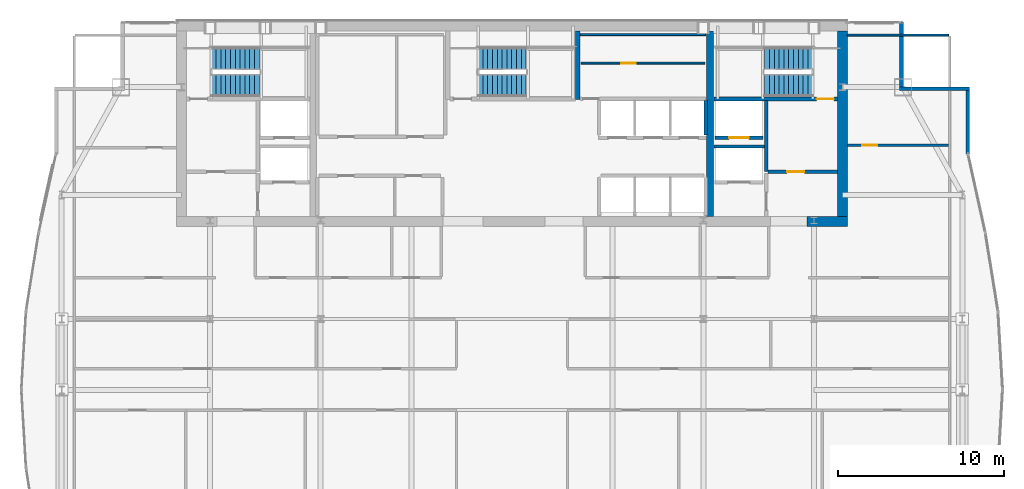
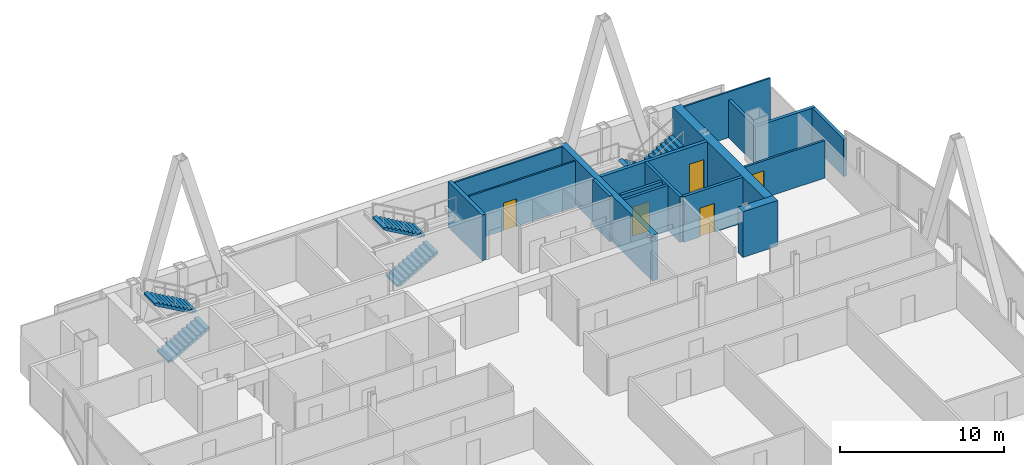
# One storey, part 29 of 31: 17 walls, 6 stair flights, 5 doors, 5 openings, 3 elements without a shape of their own.
"""IFC4 building model written with IfcOpenShell, lengths in metres."""

from ifc_helpers import new_model, si_unit, direction, frame, frame_2d, origin, place, context, subcontext, project, spatial, polyline, rectangle, outline, extrude, material, layer, layer_set, type_object, element, fill, aggregate, save


model = new_model("IFC4")

# Units and contexts
model_context = context("Model", 3, precision=1e-05, world=origin(), true_north=direction((0.0, 1.0)))
body_context = subcontext(model_context, "Body", "Model", "MODEL_VIEW")
ifc_project = project(units=[si_unit("LENGTHUNIT", "METRE"), si_unit("AREAUNIT", "SQUARE_METRE"), si_unit("VOLUMEUNIT", "CUBIC_METRE"), si_unit("PLANEANGLEUNIT", "RADIAN"), si_unit("MASSUNIT", "GRAM", prefix="KILO")], contexts=[model_context])

# Site, building, storey
site_placement = place(None, origin())
site = spatial("IfcSite", under=ifc_project, at=site_placement, CompositionType="ELEMENT")
building_placement = place(site_placement, origin())
building = spatial("IfcBuilding", under=site, at=building_placement, Name="Khoronbel Lancet Exchange", CompositionType="ELEMENT")
storey_placement = place(building_placement, frame((0.0, 0.0, 261.800048828125)))
storey = spatial("IfcBuildingStorey", under=building, at=storey_placement, Name="L67", CompositionType="ELEMENT", Elevation=261.800048828125)

# Walls
ifc_material_1 = material(Name="Concrete C60/75", Category="concrete")
ifc_layer_1 = layer(ifc_material_1, 0.60009765625, Name="Concrete C60/75")
ifc_layer_set_1 = layer_set([ifc_layer_1], Name="Concrete C60/75")
wall_type_1 = type_object("IfcWallType", Name="WL-CW3", PredefinedType="SHEAR", material=ifc_layer_set_1)
wall_1_placement = place(storey_placement, frame((56.39990234375, 53.10009765625, 0.0), z_axis=(0.0, 0.0, 1.0), x_axis=(0.0, -1.0, 0.0)))
element("IfcWall", 1, at=wall_1_placement, inside=storey, type_object=wall_type_1, Name="Level L67 rear core east shear wall", PredefinedType="SHEAR", context=body_context, shape_type="SweptSolid", body=[
    extrude(rectangle(XDim=11.2001953125, YDim=0.60009765625, at=frame_2d((5.60009765625, 0.0))), origin(), (0.0, 0.0, 1.0), 3.39990234375),
])
wall_2_placement = place(storey_placement, frame((56.699951171875, 41.60009765625, 0.0), z_axis=(0.0, 0.0, 1.0), x_axis=(-1.0, 0.0, 0.0)))
element("IfcWall", 2, at=wall_2_placement, inside=storey, type_object=wall_type_1, Name="Level L67 rear core south shear wall pier P5", PredefinedType="SHEAR", context=body_context, shape_type="SweptSolid", body=[
    extrude(rectangle(XDim=2.449951171875, YDim=0.60009765625, at=frame_2d((1.22509765625, 0.0))), origin(), (0.0, 0.0, 1.0), 3.39990234375),
])
ifc_material_2 = material(Name="Precast concrete C40/50", Category="concrete")
ifc_layer_2 = layer(ifc_material_2, 0.25, Name="Precast concrete C40/50")
ifc_layer_set_2 = layer_set([ifc_layer_2], Name="Precast concrete C40/50")
wall_type_2 = type_object("IfcWallType", Name="WL-EXT250", PredefinedType="SOLIDWALL", material=ifc_layer_set_2)
wall_3_placement = place(storey_placement, frame((59.9599609375, 53.6298828125, 0.0), z_axis=(0.0, 0.0, 1.0), x_axis=(0.0, -1.0, 0.0)))
element("IfcWall", 3, at=wall_3_placement, inside=storey, type_object=wall_type_2, Name="Level L67 notched-corner limestone pier 14", PredefinedType="SOLIDWALL", context=body_context, shape_type="SweptSolid", body=[
    extrude(rectangle(XDim=3.909912109375, YDim=0.219970703125, at=frame_2d((1.955078125, 0.0))), origin(), (0.0, 0.0, 1.0), 2.7900390625),
])
wall_4_placement = place(storey_placement, frame((59.85009765625, 49.610107421875, 0.0), z_axis=(0.0, 0.0, 1.0), x_axis=(1.0, 0.0, 0.0)))
element("IfcWall", 4, at=wall_4_placement, inside=storey, type_object=wall_type_2, Name="Level L67 notched-corner limestone pier 15", PredefinedType="SOLIDWALL", context=body_context, shape_type="SweptSolid", body=[
    extrude(rectangle(XDim=4.219970703125, YDim=0.219970703125, at=frame_2d((2.10986328125, 0.0))), origin(), (0.0, 0.0, 1.0), 2.7900390625),
])
wall_5_placement = place(storey_placement, frame((63.9599609375, 49.5, 0.0), z_axis=(0.0, 0.0, 1.0), x_axis=(0.0, -1.0, 0.0)))
element("IfcWall", 5, at=wall_5_placement, inside=storey, type_object=wall_type_2, Name="Level L67 notched-corner limestone pier 16", PredefinedType="SOLIDWALL", context=body_context, shape_type="SweptSolid", body=[
    extrude(rectangle(XDim=3.829833984375, YDim=0.219970703125, at=frame_2d((1.9150390625, 0.0))), origin(), (0.0, 0.0, 1.0), 2.7900390625),
])

# Wall, opening, door
ifc_material_3 = material(Name="Acoustic Metal-Stud & Mineral-Wool Gypsum Partition 120 mm", Category="gypsum")
ifc_layer_3 = layer(ifc_material_3, 0.1201171875, Name="Acoustic Metal-Stud & Mineral-Wool Gypsum Partition 120 mm")
ifc_layer_set_3 = layer_set([ifc_layer_3], Name="Acoustic Metal-Stud & Mineral-Wool Gypsum Partition 120 mm")
wall_type_3 = type_object("IfcWallType", Name="WL-PRT120", PredefinedType="PARTITIONING", material=ifc_layer_set_3)
wall_6_placement = place(storey_placement, frame((56.699951171875, 46.199951171875, 0.0), z_axis=(0.0, 0.0, 1.0), x_axis=(1.0, 0.0, 0.0)))
wall_6 = element("IfcWall", 6, at=wall_6_placement, inside=storey, type_object=wall_type_3, Name="Level L67 interior partition PW-NE-H", PredefinedType="PARTITIONING", context=body_context, shape_type="SweptSolid", body=[
    extrude(rectangle(XDim=6.10498046875, YDim=0.14990234375, at=frame_2d((3.052490234375, 0.0))), origin(), (0.0, 0.0, 1.0), 2.7900390625),
])
opening_1_placement = place(wall_6_placement, frame((0.89990234375, 0.0, 0.0)))
opening_1 = element("IfcOpeningElement", 7, at=opening_1_placement, cuts=wall_6, Name="Opening D5", PredefinedType="OPENING", context=body_context, shape_type="SweptSolid", body=[
    extrude(rectangle(XDim=0.89990234375, YDim=2.050048828125, at=frame_2d((0.449951171875, 1.02490234375))), frame((0.0, 0.0849609375, 0.0), z_axis=(0.0, -1.0, 0.0), x_axis=(1.0, 0.0, 0.0)), (0.0, 0.0, 1.0), 0.169921875),
])
ifc_material_4 = material(Name="Acoustic Timber Pantry & Support Door", Category="wood")
door_type_1 = type_object("IfcDoorType", Name="DR-D5", OperationType="NOTDEFINED", PredefinedType="DOOR", material=ifc_material_4)
door_1_placement = place(opening_1_placement, origin())
door_1 = element("IfcDoor", 8, at=door_1_placement, inside=storey, type_object=door_type_1, Name="NE north room door L67-1", OperationType="SINGLE_SWING_RIGHT", OverallHeight=2.050048828125, OverallWidth=0.89990234375, PredefinedType="DOOR", context=body_context, shape_type="SweptSolid", body=[
    extrude(rectangle(XDim=0.89990234375, YDim=2.050048828125, at=frame_2d((0.449951171875, 1.02490234375))), frame((0.0, 0.02490234375, 0.0), z_axis=(0.0, -1.0, 0.0), x_axis=(1.0, 0.0, 0.0)), (0.0, 0.0, 1.0), 0.050048828125),
])
fill(opening_1, door_1)

# Walls
wall_7_placement = place(storey_placement, frame((56.699951171875, 52.840087890625, 0.0), z_axis=(0.0, 0.0, 1.0), x_axis=(1.0, 0.0, 0.0)))
element("IfcWall", 9, at=wall_7_placement, inside=storey, type_object=wall_type_3, Name="Level L67 interior partition PW-LIN-NE", PredefinedType="PARTITIONING", context=body_context, shape_type="SweptSolid", body=[
    extrude(rectangle(XDim=6.10498046875, YDim=0.1201171875, at=frame_2d((3.052490234375, 0.0))), origin(), (0.0, 0.0, 1.0), 3.39990234375),
])
ifc_material_5 = material(Name="Fire-Rated Metal-Stud & Mineral-Wool Gypsum Partition 120 mm", Category="gypsum")
ifc_layer_4 = layer(ifc_material_5, 0.1201171875, Name="Fire-Rated Metal-Stud & Mineral-Wool Gypsum Partition 120 mm")
ifc_layer_set_4 = layer_set([ifc_layer_4], Name="Fire-Rated Metal-Stud & Mineral-Wool Gypsum Partition 120 mm")
wall_type_4 = type_object("IfcWallType", Name="WL-PRT120F", PredefinedType="PARTITIONING", material=ifc_layer_set_4)
wall_8_placement = place(storey_placement, frame((40.580078125, 52.860107421875, 0.0), z_axis=(0.0, 0.0, 1.0), x_axis=(1.0, 0.0, 0.0)))
element("IfcWall", 10, at=wall_8_placement, inside=storey, type_object=wall_type_4, Name="Level L67 interior partition CW-SUP-NE-N", PredefinedType="PARTITIONING", context=body_context, shape_type="SweptSolid", body=[
    extrude(rectangle(XDim=7.559814453125, YDim=0.1201171875, at=frame_2d((3.77978515625, 0.0))), origin(), (0.0, 0.0, 1.0), 3.39990234375),
])

# Wall, opening, door
wall_9_placement = place(storey_placement, frame((40.6298828125, 51.139892578125, 0.0), z_axis=(0.0, 0.0, 1.0), x_axis=(1.0, 0.0, 0.0)))
wall_9 = element("IfcWall", 11, at=wall_9_placement, inside=storey, type_object=wall_type_4, Name="Level L67 interior partition CW-SUP-NE-H", PredefinedType="PARTITIONING", context=body_context, shape_type="SweptSolid", body=[
    extrude(rectangle(XDim=7.460205078125, YDim=0.1201171875, at=frame_2d((3.72998046875, 0.0))), origin(), (0.0, 0.0, 1.0), 3.39990234375),
])
opening_2_placement = place(wall_9_placement, frame((2.39990234375, 0.0, 0.0)))
opening_2 = element("IfcOpeningElement", 12, at=opening_2_placement, cuts=wall_9, Name="Opening FD4", PredefinedType="OPENING", context=body_context, shape_type="SweptSolid", body=[
    extrude(rectangle(XDim=0.89990234375, YDim=2.050048828125, at=frame_2d((0.449951171875, 1.02490234375))), frame((0.0, 0.070068359375, 0.0), z_axis=(0.0, -1.0, 0.0), x_axis=(1.0, 0.0, 0.0)), (0.0, 0.0, 1.0), 0.14013671875),
])
ifc_material_6 = material(Name="Fire-Rated Steel Core Support Door Assembly", Category="steel")
door_type_2 = type_object("IfcDoorType", Name="DR-FD4", OperationType="NOTDEFINED", PredefinedType="DOOR", material=ifc_material_6)
door_2_placement = place(opening_2_placement, origin())
door_2 = element("IfcDoor", 13, at=door_2_placement, inside=storey, type_object=door_type_2, Name="Core NE north store door L67-1", OperationType="SINGLE_SWING_LEFT", OverallHeight=2.050048828125, OverallWidth=0.89990234375, PredefinedType="DOOR", context=body_context, shape_type="SweptSolid", body=[
    extrude(rectangle(XDim=0.89990234375, YDim=2.050048828125, at=frame_2d((0.449951171875, 1.02490234375))), frame((0.0, 0.02490234375, 0.0), z_axis=(0.0, -1.0, 0.0), x_axis=(1.0, 0.0, 0.0)), (0.0, 0.0, 1.0), 0.050048828125),
])
fill(opening_2, door_2)

ifc_material_7 = material(Name="Autoclaved Aerated Concrete Blockwork 200 mm", Category="masonry")
ifc_layer_5 = layer(ifc_material_7, 0.199951171875, Name="Autoclaved Aerated Concrete Blockwork 200 mm")
ifc_layer_set_5 = layer_set([ifc_layer_5], Name="Autoclaved Aerated Concrete Blockwork 200 mm")
wall_type_5 = type_object("IfcWallType", Name="WL-PRT200", PredefinedType="PARTITIONING", material=ifc_layer_set_5)
wall_10_placement = place(storey_placement, frame((51.610107421875, 46.64990234375, 0.0), z_axis=(0.0, 0.0, 1.0), x_axis=(-1.0, 0.0, 0.0)))
wall_10 = element("IfcWall", 14, at=wall_10_placement, inside=storey, type_object=wall_type_5, Name="Level L67 elevator hoistway landing front wall FFLE", PredefinedType="PARTITIONING", context=body_context, shape_type="SweptSolid", body=[
    extrude(rectangle(XDim=2.920166015625, YDim=0.199951171875, at=frame_2d((1.4599609375, 0.0))), origin(), (0.0, 0.0, 1.0), 3.39990234375),
])
opening_3_placement = place(wall_10_placement, frame((0.860107421875, 0.0, 0.0)))
opening_3 = element("IfcOpeningElement", 15, at=opening_3_placement, cuts=wall_10, Name="Opening LD-FFL2", PredefinedType="OPENING", context=body_context, shape_type="SweptSolid", body=[
    extrude(rectangle(XDim=1.199951171875, YDim=2.179931640625, at=frame_2d((0.60009765625, 1.08984375))), frame((0.0, 0.10986328125, 0.0), z_axis=(0.0, -1.0, 0.0), x_axis=(1.0, 0.0, 0.0)), (0.0, 0.0, 1.0), 0.219970703125),
])
ifc_material_8 = material(Name="Fire-Rated Stainless Bi-Parting Firefighting Lift Door", Category="steel")
door_type_3 = type_object("IfcDoorType", Name="DR-LD-FFL", OperationType="NOTDEFINED", PredefinedType="DOOR", material=ifc_material_8)
door_3_placement = place(opening_3_placement, origin())
door_3 = element("IfcDoor", 16, at=door_3_placement, inside=storey, type_object=door_type_3, Name="Elevator landing sliding door LD-FFL2 L67", OperationType="SLIDING_TO_LEFT", OverallHeight=2.179931640625, OverallWidth=1.199951171875, PredefinedType="DOOR", context=body_context, shape_type="SweptSolid", body=[
    extrude(rectangle(XDim=1.199951171875, YDim=2.179931640625, at=frame_2d((0.60009765625, 1.08984375))), frame((0.0, 0.02490234375, 0.0), z_axis=(0.0, -1.0, 0.0), x_axis=(1.0, 0.0, 0.0)), (0.0, 0.0, 1.0), 0.050048828125),
])
fill(opening_3, door_3)

# Wall
wall_11_placement = place(storey_placement, frame((51.800048828125, 44.60009765625, 0.0), z_axis=(0.0, 0.0, 1.0), x_axis=(0.0, 1.0, 0.0)))
element("IfcWall", 17, at=wall_11_placement, inside=storey, type_object=wall_type_5, Name="Level L67 interior partition CW-FFLE-W", PredefinedType="PARTITIONING", context=body_context, shape_type="SweptSolid", body=[
    extrude(rectangle(XDim=4.2998046875, YDim=0.199951171875, at=frame_2d((2.14990234375, 0.0))), origin(), (0.0, 0.0, 1.0), 3.39990234375),
])

# Wall, opening, door
wall_12_placement = place(storey_placement, frame((51.89990234375, 44.60009765625, 0.0), z_axis=(0.0, 0.0, 1.0), x_axis=(1.0, 0.0, 0.0)))
wall_12 = element("IfcWall", 18, at=wall_12_placement, inside=storey, type_object=wall_type_5, Name="Level L67 interior partition CW-FFLE-S", PredefinedType="PARTITIONING", context=body_context, shape_type="SweptSolid", body=[
    extrude(rectangle(XDim=4.2001953125, YDim=0.199951171875, at=frame_2d((2.10009765625, 0.0))), origin(), (0.0, 0.0, 1.0), 3.39990234375),
])
opening_4_placement = place(wall_12_placement, frame((1.14990234375, 0.0, 0.0)))
opening_4 = element("IfcOpeningElement", 19, at=opening_4_placement, cuts=wall_12, Name="Opening FD1", PredefinedType="OPENING", context=body_context, shape_type="SweptSolid", body=[
    extrude(rectangle(XDim=1.050048828125, YDim=2.14990234375, at=frame_2d((0.52490234375, 1.074951171875))), frame((0.0, 0.10986328125, 0.0), z_axis=(0.0, -1.0, 0.0), x_axis=(1.0, 0.0, 0.0)), (0.0, 0.0, 1.0), 0.219970703125),
])
ifc_material_9 = material(Name="Fire-Rated Painted Steel Door Assembly", Category="steel")
door_type_4 = type_object("IfcDoorType", Name="DR-FD1", OperationType="NOTDEFINED", PredefinedType="DOOR", material=ifc_material_9)
door_4_placement = place(opening_4_placement, origin())
door_4 = element("IfcDoor", 20, at=door_4_placement, inside=storey, type_object=door_type_4, Name="East firefighting lobby FD90S door L67-1", OperationType="SINGLE_SWING_RIGHT", OverallHeight=2.14990234375, OverallWidth=1.050048828125, PredefinedType="DOOR", context=body_context, shape_type="SweptSolid", body=[
    extrude(rectangle(XDim=1.050048828125, YDim=2.14990234375, at=frame_2d((0.52490234375, 1.074951171875))), frame((0.0, 0.02490234375, 0.0), z_axis=(0.0, -1.0, 0.0), x_axis=(1.0, 0.0, 0.0)), (0.0, 0.0, 1.0), 0.050048828125),
])
fill(opening_4, door_4)

# Walls
wall_13_placement = place(storey_placement, frame((48.6298828125, 46.1201171875, 0.0), z_axis=(0.0, 0.0, 1.0), x_axis=(1.0, 0.0, 0.0)))
element("IfcWall", 21, at=wall_13_placement, inside=storey, type_object=wall_type_5, Name="Level L67 interior partition CW-FFL2-S", PredefinedType="PARTITIONING", context=body_context, shape_type="SweptSolid", body=[
    extrude(rectangle(XDim=3.070068359375, YDim=0.199951171875, at=frame_2d((1.53515625, 0.0))), origin(), (0.0, 0.0, 1.0), 3.39990234375),
])
wall_14_placement = place(storey_placement, frame((48.139892578125, 46.800048828125, 0.0), z_axis=(0.0, 0.0, 1.0), x_axis=(0.0, 1.0, 0.0)))
element("IfcWall", 22, at=wall_14_placement, inside=storey, type_object=wall_type_5, Name="Level L67 interior partition CW-PH-E", PredefinedType="PARTITIONING", context=body_context, shape_type="SweptSolid", body=[
    extrude(rectangle(XDim=2.094970703125, YDim=0.199951171875, at=frame_2d((1.04736328125, 0.0))), origin(), (0.0, 0.0, 1.0), 3.39990234375),
])
ifc_layer_6 = layer(ifc_material_1, 0.39990234375, Name="Concrete C60/75")
ifc_layer_set_6 = layer_set([ifc_layer_6], Name="Concrete C60/75")
wall_type_6 = type_object("IfcWallType", Name="WL-SW2", PredefinedType="SHEAR", material=ifc_layer_set_6)
wall_15_placement = place(storey_placement, frame((48.39990234375, 41.89990234375, 0.0), z_axis=(0.0, 0.0, 1.0), x_axis=(0.0, 1.0, 0.0)))
element("IfcWall", 23, at=wall_15_placement, inside=storey, type_object=wall_type_6, Name="Level L67 rear core internal spine shear wall IE", PredefinedType="SHEAR", context=body_context, shape_type="SweptSolid", body=[
    extrude(rectangle(XDim=11.2001953125, YDim=0.39990234375, at=frame_2d((5.60009765625, 0.0))), origin(), (0.0, 0.0, 1.0), 3.39990234375),
])
ifc_layer_7 = layer(ifc_material_1, 0.260009765625, Name="Concrete C60/75")
ifc_layer_set_7 = layer_set([ifc_layer_7], Name="Concrete C60/75")
wall_type_7 = type_object("IfcWallType", Name="WL-SW3", PredefinedType="SHEAR", material=ifc_layer_set_7)
wall_16_placement = place(storey_placement, frame((40.419921875, 48.949951171875, 0.0), z_axis=(0.0, 0.0, 1.0), x_axis=(0.0, 1.0, 0.0)))
element("IfcWall", 24, at=wall_16_placement, inside=storey, type_object=wall_type_7, Name="Level L67 central stairwell structural shear wall ST3E", PredefinedType="SHEAR", context=body_context, shape_type="SweptSolid", body=[
    extrude(rectangle(XDim=4.150146484375, YDim=0.260009765625, at=frame_2d((2.0751953125, 0.0))), origin(), (0.0, 0.0, 1.0), 3.39990234375),
])

# Wall, opening, door
wall_17_placement = place(storey_placement, frame((48.6298828125, 48.97998046875, 0.0), z_axis=(0.0, 0.0, 1.0), x_axis=(1.0, 0.0, 0.0)))
wall_17 = element("IfcWall", 25, at=wall_17_placement, inside=storey, type_object=wall_type_7, Name="Level L67 east stairwell structural south wall", PredefinedType="SHEAR", context=body_context, shape_type="SweptSolid", body=[
    extrude(rectangle(XDim=7.47021484375, YDim=0.239990234375, at=frame_2d((3.735107421875, 0.0))), origin(), (0.0, 0.0, 1.0), 3.39990234375),
])
opening_5_placement = place(wall_17_placement, frame((6.199951171875, 0.0, 0.0)))
opening_5 = element("IfcOpeningElement", 26, at=opening_5_placement, cuts=wall_17, Name="Opening SD1", PredefinedType="OPENING", context=body_context, shape_type="SweptSolid", body=[
    extrude(rectangle(XDim=1.050048828125, YDim=2.14990234375, at=frame_2d((0.52490234375, 1.074951171875))), frame((0.0, 0.1298828125, 0.0), z_axis=(0.0, -1.0, 0.0), x_axis=(1.0, 0.0, 0.0)), (0.0, 0.0, 1.0), 0.260009765625),
])
ifc_material_10 = material(Name="Fire-Rated Steel Stairwell Door Assembly", Category="steel")
door_type_5 = type_object("IfcDoorType", Name="DR-SD1", OperationType="NOTDEFINED", PredefinedType="DOOR", material=ifc_material_10)
door_5_placement = place(opening_5_placement, origin())
door_5 = element("IfcDoor", 27, at=door_5_placement, inside=storey, type_object=door_type_5, Name="Protected exit stair ST2 door L67", OperationType="SINGLE_SWING_RIGHT", OverallHeight=2.14990234375, OverallWidth=1.050048828125, PredefinedType="DOOR", context=body_context, shape_type="SweptSolid", body=[
    extrude(rectangle(XDim=1.050048828125, YDim=2.14990234375, at=frame_2d((0.52490234375, 1.074951171875))), frame((0.0, 0.02490234375, 0.0), z_axis=(0.0, -1.0, 0.0), x_axis=(1.0, 0.0, 0.0)), (0.0, 0.0, 1.0), 0.050048828125),
])
fill(opening_5, door_5)

# Stair, stair flights
ifc_material_11 = material(Name="Concrete C40/50", Category="concrete")
stair_type = type_object("IfcStairType", Name="STR-CORE150", PredefinedType="HALF_TURN_STAIR", material=ifc_material_11)
stair_1_placement = place(storey_placement, origin())
stair_1 = element("IfcStair", 28, at=stair_1_placement, inside=storey, type_object=stair_type, Name="L67 Protected Exit Stair ST1", PredefinedType="HALF_TURN_STAIR")
stair_flight_type = type_object("IfcStairFlightType", Name="STF-150", PredefinedType="STRAIGHT", material=ifc_material_11)
stair_flight_1_placement = place(storey_placement, frame((18.300048828125, 49.81005859375, 0.0), z_axis=(0.0, 0.0, 1.0), x_axis=(1.0, 0.0, 0.0)))
stair_flight_1 = element("IfcStairFlight", 29, at=stair_flight_1_placement, type_object=stair_flight_type, Name="ST1 flight 1", NumberOfRisers=11, NumberOfTreads=10, PredefinedType="STRAIGHT", RiserHeight=0.163636364, TreadLength=0.29, context=body_context, shape_type="SweptSolid", body=[
    extrude(outline(polyline([(0.0, 0.0), (0.0, 0.16357421875), (0.2900390625, 0.16357421875), (0.2900390625, 0.327392578125), (0.580078125, 0.327392578125), (0.580078125, 0.490966796875), (0.8701171875, 0.490966796875), (0.8701171875, 0.654541015625), (1.159912109375, 0.654541015625), (1.159912109375, 0.818115234375), (1.449951171875, 0.818115234375), (1.449951171875, 0.98193359375), (1.739990234375, 0.98193359375), (1.739990234375, 1.1455078125), (2.030029296875, 1.1455078125), (2.030029296875, 1.30908203125), (2.320068359375, 1.30908203125), (2.320068359375, 1.47265625), (2.610107421875, 1.47265625), (2.610107421875, 1.636474609375), (2.89990234375, 1.636474609375), (2.89990234375, 1.800048828125), (2.89990234375, 1.46435546875), (0.304931640625, 0.0), (0.0, 0.0)])), frame((0.0, 0.68994140625, 0.0), z_axis=(0.0, -1.0, 0.0), x_axis=(1.0, 0.0, 0.0)), (0.0, 0.0, 1.0), 1.3798828125),
])
stair_flight_2_placement = place(storey_placement, frame((21.199951171875, 51.409912109375, 1.800048828125), z_axis=(0.0, 0.0, 1.0), x_axis=(-1.0, 0.0, 0.0)))
stair_flight_2 = element("IfcStairFlight", 30, at=stair_flight_2_placement, type_object=stair_flight_type, Name="ST1 flight 2", NumberOfRisers=11, NumberOfTreads=10, PredefinedType="STRAIGHT", RiserHeight=0.163636364, TreadLength=0.29, context=body_context, shape_type="SweptSolid", body=[
    extrude(outline(polyline([(0.0, 0.0), (0.0, 0.16357421875), (0.2900390625, 0.16357421875), (0.2900390625, 0.327392578125), (0.580078125, 0.327392578125), (0.580078125, 0.490966796875), (0.8701171875, 0.490966796875), (0.8701171875, 0.654541015625), (1.159912109375, 0.654541015625), (1.159912109375, 0.818115234375), (1.449951171875, 0.818115234375), (1.449951171875, 0.98193359375), (1.739990234375, 0.98193359375), (1.739990234375, 1.1455078125), (2.030029296875, 1.1455078125), (2.030029296875, 1.30908203125), (2.320068359375, 1.30908203125), (2.320068359375, 1.47265625), (2.610107421875, 1.47265625), (2.610107421875, 1.636474609375), (2.89990234375, 1.636474609375), (2.89990234375, 1.800048828125), (2.89990234375, 1.46435546875), (0.304931640625, 0.0), (0.0, 0.0)])), frame((0.0, 0.68994140625, 0.0), z_axis=(0.0, -1.0, 0.0), x_axis=(1.0, 0.0, 0.0)), (0.0, 0.0, 1.0), 1.3798828125),
])
aggregate(stair_1, [stair_flight_1, stair_flight_2])

stair_2_placement = place(storey_placement, origin())
stair_2 = element("IfcStair", 31, at=stair_2_placement, inside=storey, type_object=stair_type, Name="L67 Protected Exit Stair ST2", PredefinedType="HALF_TURN_STAIR")
stair_flight_3_placement = place(storey_placement, frame((54.60009765625, 51.409912109375, 0.0), z_axis=(0.0, 0.0, 1.0), x_axis=(-1.0, 0.0, 0.0)))
stair_flight_3 = element("IfcStairFlight", 32, at=stair_flight_3_placement, type_object=stair_flight_type, Name="ST2 flight 1", NumberOfRisers=11, NumberOfTreads=10, PredefinedType="STRAIGHT", RiserHeight=0.163636364, TreadLength=0.29, context=body_context, shape_type="SweptSolid", body=[
    extrude(outline(polyline([(0.0, 0.0), (0.0, 0.16357421875), (0.2900390625, 0.16357421875), (0.2900390625, 0.327392578125), (0.580078125, 0.327392578125), (0.580078125, 0.490966796875), (0.8701171875, 0.490966796875), (0.8701171875, 0.654541015625), (1.159912109375, 0.654541015625), (1.159912109375, 0.818115234375), (1.449951171875, 0.818115234375), (1.449951171875, 0.98193359375), (1.739990234375, 0.98193359375), (1.739990234375, 1.1455078125), (2.030029296875, 1.1455078125), (2.030029296875, 1.30908203125), (2.320068359375, 1.30908203125), (2.320068359375, 1.47265625), (2.610107421875, 1.47265625), (2.610107421875, 1.636474609375), (2.89990234375, 1.636474609375), (2.89990234375, 1.800048828125), (2.89990234375, 1.46435546875), (0.304931640625, 0.0), (0.0, 0.0)])), frame((0.0, 0.68994140625, 0.0), z_axis=(0.0, -1.0, 0.0), x_axis=(1.0, 0.0, 0.0)), (0.0, 0.0, 1.0), 1.3798828125),
])
stair_flight_4_placement = place(storey_placement, frame((51.699951171875, 49.81005859375, 1.800048828125), z_axis=(0.0, 0.0, 1.0), x_axis=(1.0, 0.0, 0.0)))
stair_flight_4 = element("IfcStairFlight", 33, at=stair_flight_4_placement, type_object=stair_flight_type, Name="ST2 flight 2", NumberOfRisers=11, NumberOfTreads=10, PredefinedType="STRAIGHT", RiserHeight=0.163636364, TreadLength=0.29, context=body_context, shape_type="SweptSolid", body=[
    extrude(outline(polyline([(0.0, 0.0), (0.0, 0.16357421875), (0.2900390625, 0.16357421875), (0.2900390625, 0.327392578125), (0.580078125, 0.327392578125), (0.580078125, 0.490966796875), (0.8701171875, 0.490966796875), (0.8701171875, 0.654541015625), (1.159912109375, 0.654541015625), (1.159912109375, 0.818115234375), (1.449951171875, 0.818115234375), (1.449951171875, 0.98193359375), (1.739990234375, 0.98193359375), (1.739990234375, 1.1455078125), (2.030029296875, 1.1455078125), (2.030029296875, 1.30908203125), (2.320068359375, 1.30908203125), (2.320068359375, 1.47265625), (2.610107421875, 1.47265625), (2.610107421875, 1.636474609375), (2.89990234375, 1.636474609375), (2.89990234375, 1.800048828125), (2.89990234375, 1.46435546875), (0.304931640625, 0.0), (0.0, 0.0)])), frame((0.0, 0.68994140625, 0.0), z_axis=(0.0, -1.0, 0.0), x_axis=(1.0, 0.0, 0.0)), (0.0, 0.0, 1.0), 1.3798828125),
])
aggregate(stair_2, [stair_flight_3, stair_flight_4])

stair_3_placement = place(storey_placement, origin())
stair_3 = element("IfcStair", 34, at=stair_3_placement, inside=storey, type_object=stair_type, Name="L67 Protected Exit Stair ST3", PredefinedType="HALF_TURN_STAIR")
stair_flight_5_placement = place(storey_placement, frame((34.39990234375, 49.81005859375, 0.0), z_axis=(0.0, 0.0, 1.0), x_axis=(1.0, 0.0, 0.0)))
stair_flight_5 = element("IfcStairFlight", 35, at=stair_flight_5_placement, type_object=stair_flight_type, Name="ST3 flight 1", NumberOfRisers=11, NumberOfTreads=10, PredefinedType="STRAIGHT", RiserHeight=0.163636364, TreadLength=0.29, context=body_context, shape_type="SweptSolid", body=[
    extrude(outline(polyline([(0.0, 0.0), (0.0, 0.16357421875), (0.2900390625, 0.16357421875), (0.2900390625, 0.327392578125), (0.580078125, 0.327392578125), (0.580078125, 0.490966796875), (0.8701171875, 0.490966796875), (0.8701171875, 0.654541015625), (1.159912109375, 0.654541015625), (1.159912109375, 0.818115234375), (1.449951171875, 0.818115234375), (1.449951171875, 0.98193359375), (1.739990234375, 0.98193359375), (1.739990234375, 1.1455078125), (2.030029296875, 1.1455078125), (2.030029296875, 1.30908203125), (2.320068359375, 1.30908203125), (2.320068359375, 1.47265625), (2.610107421875, 1.47265625), (2.610107421875, 1.636474609375), (2.89990234375, 1.636474609375), (2.89990234375, 1.800048828125), (2.89990234375, 1.46435546875), (0.304931640625, 0.0), (0.0, 0.0)])), frame((0.0, 0.68994140625, 0.0), z_axis=(0.0, -1.0, 0.0), x_axis=(1.0, 0.0, 0.0)), (0.0, 0.0, 1.0), 1.3798828125),
])
stair_flight_6_placement = place(storey_placement, frame((37.300048828125, 51.409912109375, 1.800048828125), z_axis=(0.0, 0.0, 1.0), x_axis=(-1.0, 0.0, 0.0)))
stair_flight_6 = element("IfcStairFlight", 36, at=stair_flight_6_placement, type_object=stair_flight_type, Name="ST3 flight 2", NumberOfRisers=11, NumberOfTreads=10, PredefinedType="STRAIGHT", RiserHeight=0.163636364, TreadLength=0.29, context=body_context, shape_type="SweptSolid", body=[
    extrude(outline(polyline([(0.0, 0.0), (0.0, 0.16357421875), (0.2900390625, 0.16357421875), (0.2900390625, 0.327392578125), (0.580078125, 0.327392578125), (0.580078125, 0.490966796875), (0.8701171875, 0.490966796875), (0.8701171875, 0.654541015625), (1.159912109375, 0.654541015625), (1.159912109375, 0.818115234375), (1.449951171875, 0.818115234375), (1.449951171875, 0.98193359375), (1.739990234375, 0.98193359375), (1.739990234375, 1.1455078125), (2.030029296875, 1.1455078125), (2.030029296875, 1.30908203125), (2.320068359375, 1.30908203125), (2.320068359375, 1.47265625), (2.610107421875, 1.47265625), (2.610107421875, 1.636474609375), (2.89990234375, 1.636474609375), (2.89990234375, 1.800048828125), (2.89990234375, 1.46435546875), (0.304931640625, 0.0), (0.0, 0.0)])), frame((0.0, 0.68994140625, 0.0), z_axis=(0.0, -1.0, 0.0), x_axis=(1.0, 0.0, 0.0)), (0.0, 0.0, 1.0), 1.3798828125),
])
aggregate(stair_3, [stair_flight_5, stair_flight_6])

save(model, "model.ifc")
